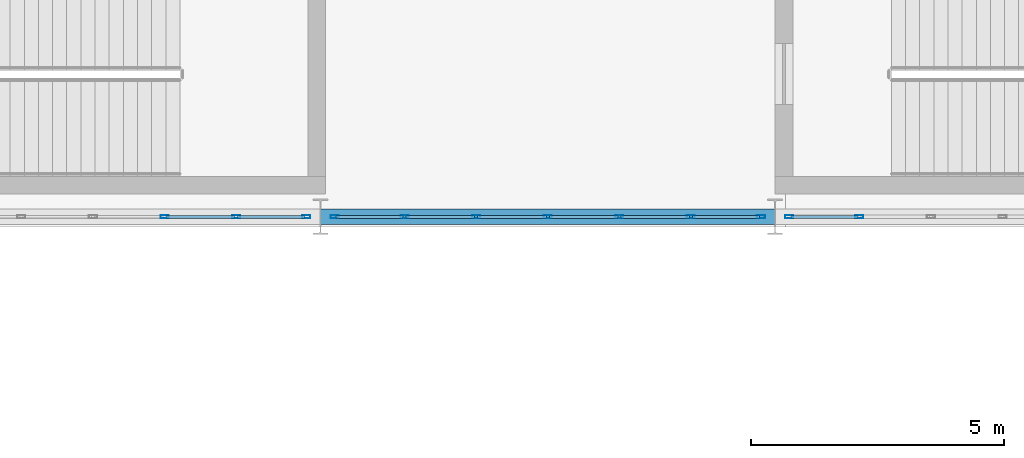
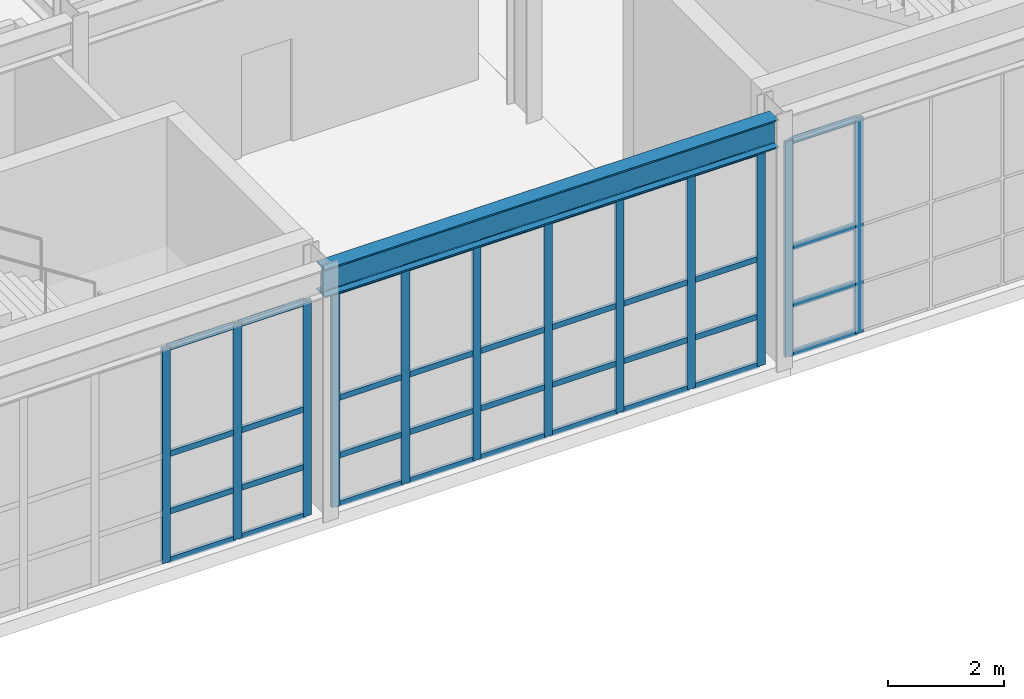
# One storey, part 61 of 210: 48 members, 1 beam, 3 elements without a shape of their own.
"""IFC4 building model written with IfcOpenShell, lengths in metres."""

from ifc_helpers import new_model, si_unit, direction, frame, origin, origin_2d, place, context, subcontext, project, spatial, hollow_rectangle, i_section, extrude, material, material_profile, profile_set, type_object, element, aggregate, save


model = new_model("IFC4")

# Units and contexts
model_context = context("Model", 3, precision=1e-05, world=origin(), true_north=direction((0.0, 1.0)))
body_context = subcontext(model_context, "Body", "Model", "MODEL_VIEW")
ifc_project = project(units=[si_unit("LENGTHUNIT", "METRE"), si_unit("AREAUNIT", "SQUARE_METRE"), si_unit("VOLUMEUNIT", "CUBIC_METRE"), si_unit("PLANEANGLEUNIT", "RADIAN"), si_unit("MASSUNIT", "GRAM", prefix="KILO")], contexts=[model_context])

# Site, building, storey
site_placement = place(None, origin())
site = spatial("IfcSite", under=ifc_project, at=site_placement, CompositionType="ELEMENT")
building_placement = place(site_placement, origin())
building = spatial("IfcBuilding", under=site, at=building_placement, Name="Kaldris Quays Convention Centre", CompositionType="ELEMENT")
storey_placement = place(building_placement, frame((0.0, 0.0, 6.0)))
storey = spatial("IfcBuildingStorey", under=building, at=storey_placement, Name="L01", CompositionType="ELEMENT", Elevation=6.0)

# Curtain wall, members
ifc_material_1 = material(Name="Anodized aluminium AW-6060 and triple glazing", Category="aluminium")
curtain_wall_type = type_object("IfcCurtainWallType", Name="UNITISED CURTAIN WALL CW04", PredefinedType="NOTDEFINED", material=ifc_material_1)
curtain_wall_1_placement = place(storey_placement, origin())
curtain_wall_1 = element("IfcCurtainWall", 1, at=curtain_wall_1_placement, inside=storey, type_object=curtain_wall_type, Name="L01 Unitised Curtain Wall CW04 110", PredefinedType="NOTDEFINED")
ifc_material_2 = material(Name="Anodized aluminium AW-6060", Category="aluminium")
ifc_material_profile_1 = material_profile(ifc_material_2, hollow_rectangle(XDim=0.06005859375, YDim=0.159912109375, WallThickness=0.00390625, at=origin_2d()), Name="RHS 160x60x4")
ifc_profile_set_1 = profile_set([ifc_material_profile_1], Name="Anodized aluminium AW-6060")
member_type_1 = type_object("IfcMemberType", Name="CURTAIN MULLION CWM1", PredefinedType="MULLION", material=ifc_profile_set_1)
member_1_placement = place(storey_placement, frame((115.916748046875, 38.0, 0.0), z_axis=(0.0, 0.0, 1.0), x_axis=(0.0, 1.0, 0.0)))
member_1 = element("IfcMember", 2, at=member_1_placement, type_object=member_type_1, Name="CW04 mullion 5", PredefinedType="MULLION", context=body_context, shape_type="SweptSolid", body=[
    extrude(hollow_rectangle(XDim=0.06005859375, YDim=0.159912109375, WallThickness=0.00390625, at=origin_2d()), origin(), (0.0, 0.0, 1.0), 4.51806640625),
])
member_2_placement = place(storey_placement, frame((117.333251953125, 38.0, 0.0), z_axis=(0.0, 0.0, 1.0), x_axis=(0.0, 1.0, 0.0)))
member_2 = element("IfcMember", 3, at=member_2_placement, type_object=member_type_1, Name="CW04 mullion 6", PredefinedType="MULLION", context=body_context, shape_type="SweptSolid", body=[
    extrude(hollow_rectangle(XDim=0.06005859375, YDim=0.159912109375, WallThickness=0.00390625, at=origin_2d()), origin(), (0.0, 0.0, 1.0), 4.51806640625),
])
member_3_placement = place(storey_placement, frame((118.719970703125, 38.0, 0.0), z_axis=(0.0, 0.0, 1.0), x_axis=(0.0, 1.0, 0.0)))
member_3 = element("IfcMember", 4, at=member_3_placement, type_object=member_type_1, Name="CW04 mullion 7", PredefinedType="MULLION", context=body_context, shape_type="SweptSolid", body=[
    extrude(hollow_rectangle(XDim=0.06005859375, YDim=0.159912109375, WallThickness=0.00390625, at=origin_2d()), origin(), (0.0, 0.0, 1.0), 4.51806640625),
])

curtain_wall_2_placement = place(storey_placement, origin())
curtain_wall_2 = element("IfcCurtainWall", 5, at=curtain_wall_2_placement, inside=storey, type_object=curtain_wall_type, Name="L01 Unitised Curtain Wall CW04 111", PredefinedType="NOTDEFINED")
member_4_placement = place(storey_placement, frame((119.280029296875, 38.0, 0.0), z_axis=(0.0, 0.0, 1.0), x_axis=(0.0, 1.0, 0.0)))
member_4 = element("IfcMember", 6, at=member_4_placement, type_object=member_type_1, Name="CW04 mullion 1", PredefinedType="MULLION", context=body_context, shape_type="SweptSolid", body=[
    extrude(hollow_rectangle(XDim=0.06005859375, YDim=0.159912109375, WallThickness=0.00390625, at=origin_2d()), origin(), (0.0, 0.0, 1.0), 4.51806640625),
])
member_5_placement = place(storey_placement, frame((120.666748046875, 38.0, 0.0), z_axis=(0.0, 0.0, 1.0), x_axis=(0.0, 1.0, 0.0)))
member_5 = element("IfcMember", 7, at=member_5_placement, type_object=member_type_1, Name="CW04 mullion 2", PredefinedType="MULLION", context=body_context, shape_type="SweptSolid", body=[
    extrude(hollow_rectangle(XDim=0.06005859375, YDim=0.159912109375, WallThickness=0.00390625, at=origin_2d()), origin(), (0.0, 0.0, 1.0), 4.51806640625),
])
member_6_placement = place(storey_placement, frame((122.083251953125, 38.0, 0.0), z_axis=(0.0, 0.0, 1.0), x_axis=(0.0, 1.0, 0.0)))
member_6 = element("IfcMember", 8, at=member_6_placement, type_object=member_type_1, Name="CW04 mullion 3", PredefinedType="MULLION", context=body_context, shape_type="SweptSolid", body=[
    extrude(hollow_rectangle(XDim=0.06005859375, YDim=0.159912109375, WallThickness=0.00390625, at=origin_2d()), origin(), (0.0, 0.0, 1.0), 4.51806640625),
])
member_7_placement = place(storey_placement, frame((123.5, 38.0, 0.0), z_axis=(0.0, 0.0, 1.0), x_axis=(0.0, 1.0, 0.0)))
member_7 = element("IfcMember", 9, at=member_7_placement, type_object=member_type_1, Name="CW04 mullion 4", PredefinedType="MULLION", context=body_context, shape_type="SweptSolid", body=[
    extrude(hollow_rectangle(XDim=0.06005859375, YDim=0.159912109375, WallThickness=0.00390625, at=origin_2d()), origin(), (0.0, 0.0, 1.0), 4.51806640625),
])
member_8_placement = place(storey_placement, frame((124.916748046875, 38.0, 0.0), z_axis=(0.0, 0.0, 1.0), x_axis=(0.0, 1.0, 0.0)))
member_8 = element("IfcMember", 10, at=member_8_placement, type_object=member_type_1, Name="CW04 mullion 5", PredefinedType="MULLION", context=body_context, shape_type="SweptSolid", body=[
    extrude(hollow_rectangle(XDim=0.06005859375, YDim=0.159912109375, WallThickness=0.00390625, at=origin_2d()), origin(), (0.0, 0.0, 1.0), 4.51806640625),
])
member_9_placement = place(storey_placement, frame((126.333251953125, 38.0, 0.0), z_axis=(0.0, 0.0, 1.0), x_axis=(0.0, 1.0, 0.0)))
member_9 = element("IfcMember", 11, at=member_9_placement, type_object=member_type_1, Name="CW04 mullion 6", PredefinedType="MULLION", context=body_context, shape_type="SweptSolid", body=[
    extrude(hollow_rectangle(XDim=0.06005859375, YDim=0.159912109375, WallThickness=0.00390625, at=origin_2d()), origin(), (0.0, 0.0, 1.0), 4.51806640625),
])
member_10_placement = place(storey_placement, frame((127.719970703125, 38.0, 0.0), z_axis=(0.0, 0.0, 1.0), x_axis=(0.0, 1.0, 0.0)))
member_10 = element("IfcMember", 12, at=member_10_placement, type_object=member_type_1, Name="CW04 mullion 7", PredefinedType="MULLION", context=body_context, shape_type="SweptSolid", body=[
    extrude(hollow_rectangle(XDim=0.06005859375, YDim=0.159912109375, WallThickness=0.00390625, at=origin_2d()), origin(), (0.0, 0.0, 1.0), 4.51806640625),
])

curtain_wall_3_placement = place(storey_placement, origin())
curtain_wall_3 = element("IfcCurtainWall", 13, at=curtain_wall_3_placement, inside=storey, type_object=curtain_wall_type, Name="L01 Unitised Curtain Wall CW04 112", PredefinedType="NOTDEFINED")
member_11_placement = place(storey_placement, frame((128.280029296875, 38.0, 0.0), z_axis=(0.0, 0.0, 1.0), x_axis=(0.0, 1.0, 0.0)))
member_11 = element("IfcMember", 14, at=member_11_placement, type_object=member_type_1, Name="CW04 mullion 1", PredefinedType="MULLION", context=body_context, shape_type="SweptSolid", body=[
    extrude(hollow_rectangle(XDim=0.06005859375, YDim=0.159912109375, WallThickness=0.00390625, at=origin_2d()), origin(), (0.0, 0.0, 1.0), 4.51806640625),
])
member_12_placement = place(storey_placement, frame((129.666748046875, 38.0, 0.0), z_axis=(0.0, 0.0, 1.0), x_axis=(0.0, 1.0, 0.0)))
member_12 = element("IfcMember", 15, at=member_12_placement, type_object=member_type_1, Name="CW04 mullion 2", PredefinedType="MULLION", context=body_context, shape_type="SweptSolid", body=[
    extrude(hollow_rectangle(XDim=0.06005859375, YDim=0.159912109375, WallThickness=0.00390625, at=origin_2d()), origin(), (0.0, 0.0, 1.0), 4.51806640625),
])

# Member
ifc_material_profile_2 = material_profile(ifc_material_2, hollow_rectangle(XDim=0.06005859375, YDim=0.1201171875, WallThickness=0.00390625, at=origin_2d()), Name="RHS 120x60x4")
ifc_profile_set_2 = profile_set([ifc_material_profile_2], Name="Anodized aluminium AW-6060")
member_type_2 = type_object("IfcMemberType", Name="CURTAIN TRANSOM CWT1", PredefinedType="USERDEFINED", material=ifc_profile_set_2)
member_13_placement = place(storey_placement, frame((115.94677734375, 38.0, 0.030029296875), z_axis=(1.0, 0.0, 0.0), x_axis=(0.0, 1.0, 0.0)))
member_13 = element("IfcMember", 16, at=member_13_placement, type_object=member_type_2, Name="CW04 transom 5.1", ObjectType="TRANSOM", PredefinedType="USERDEFINED", context=body_context, shape_type="SweptSolid", body=[
    extrude(hollow_rectangle(XDim=0.06005859375, YDim=0.1201171875, WallThickness=0.00390625, at=origin_2d()), origin(), (0.0, 0.0, 1.0), 1.3564453125),
])

member_14_placement = place(storey_placement, frame((115.94677734375, 38.0, 1.050048828125), z_axis=(1.0, 0.0, 0.0), x_axis=(0.0, 1.0, 0.0)))
member_14 = element("IfcMember", 17, at=member_14_placement, type_object=member_type_2, Name="CW04 transom 5.2", ObjectType="TRANSOM", PredefinedType="USERDEFINED", context=body_context, shape_type="SweptSolid", body=[
    extrude(hollow_rectangle(XDim=0.06005859375, YDim=0.1201171875, WallThickness=0.00390625, at=origin_2d()), origin(), (0.0, 0.0, 1.0), 1.3564453125),
])

member_15_placement = place(storey_placement, frame((115.94677734375, 38.0, 2.259033203125), z_axis=(1.0, 0.0, 0.0), x_axis=(0.0, 1.0, 0.0)))
member_15 = element("IfcMember", 18, at=member_15_placement, type_object=member_type_2, Name="CW04 transom 5.3", ObjectType="TRANSOM", PredefinedType="USERDEFINED", context=body_context, shape_type="SweptSolid", body=[
    extrude(hollow_rectangle(XDim=0.06005859375, YDim=0.1201171875, WallThickness=0.00390625, at=origin_2d()), origin(), (0.0, 0.0, 1.0), 1.3564453125),
])

member_16_placement = place(storey_placement, frame((115.94677734375, 38.0, 4.488037109375), z_axis=(1.0, 0.0, 0.0), x_axis=(0.0, 1.0, 0.0)))
member_16 = element("IfcMember", 19, at=member_16_placement, type_object=member_type_2, Name="CW04 transom 5.4", ObjectType="TRANSOM", PredefinedType="USERDEFINED", context=body_context, shape_type="SweptSolid", body=[
    extrude(hollow_rectangle(XDim=0.06005859375, YDim=0.1201171875, WallThickness=0.00390625, at=origin_2d()), origin(), (0.0, 0.0, 1.0), 1.3564453125),
])

member_17_placement = place(storey_placement, frame((117.36328125, 38.0, 0.030029296875), z_axis=(1.0, 0.0, 0.0), x_axis=(0.0, 1.0, 0.0)))
member_17 = element("IfcMember", 20, at=member_17_placement, type_object=member_type_2, Name="CW04 transom 6.1", ObjectType="TRANSOM", PredefinedType="USERDEFINED", context=body_context, shape_type="SweptSolid", body=[
    extrude(hollow_rectangle(XDim=0.06005859375, YDim=0.1201171875, WallThickness=0.00390625, at=origin_2d()), origin(), (0.0, 0.0, 1.0), 1.32666015625),
])

member_18_placement = place(storey_placement, frame((117.36328125, 38.0, 1.050048828125), z_axis=(1.0, 0.0, 0.0), x_axis=(0.0, 1.0, 0.0)))
member_18 = element("IfcMember", 21, at=member_18_placement, type_object=member_type_2, Name="CW04 transom 6.2", ObjectType="TRANSOM", PredefinedType="USERDEFINED", context=body_context, shape_type="SweptSolid", body=[
    extrude(hollow_rectangle(XDim=0.06005859375, YDim=0.1201171875, WallThickness=0.00390625, at=origin_2d()), origin(), (0.0, 0.0, 1.0), 1.32666015625),
])

member_19_placement = place(storey_placement, frame((117.36328125, 38.0, 2.259033203125), z_axis=(1.0, 0.0, 0.0), x_axis=(0.0, 1.0, 0.0)))
member_19 = element("IfcMember", 22, at=member_19_placement, type_object=member_type_2, Name="CW04 transom 6.3", ObjectType="TRANSOM", PredefinedType="USERDEFINED", context=body_context, shape_type="SweptSolid", body=[
    extrude(hollow_rectangle(XDim=0.06005859375, YDim=0.1201171875, WallThickness=0.00390625, at=origin_2d()), origin(), (0.0, 0.0, 1.0), 1.32666015625),
])

member_20_placement = place(storey_placement, frame((117.36328125, 38.0, 4.488037109375), z_axis=(1.0, 0.0, 0.0), x_axis=(0.0, 1.0, 0.0)))
member_20 = element("IfcMember", 23, at=member_20_placement, type_object=member_type_2, Name="CW04 transom 6.4", ObjectType="TRANSOM", PredefinedType="USERDEFINED", context=body_context, shape_type="SweptSolid", body=[
    extrude(hollow_rectangle(XDim=0.06005859375, YDim=0.1201171875, WallThickness=0.00390625, at=origin_2d()), origin(), (0.0, 0.0, 1.0), 1.32666015625),
])

aggregate(curtain_wall_1, [member_1, member_2, member_3, member_13, member_14, member_15, member_16, member_17, member_18, member_19, member_20])

member_21_placement = place(storey_placement, frame((119.31005859375, 38.0, 0.030029296875), z_axis=(1.0, 0.0, 0.0), x_axis=(0.0, 1.0, 0.0)))
member_21 = element("IfcMember", 24, at=member_21_placement, type_object=member_type_2, Name="CW04 transom 1.1", ObjectType="TRANSOM", PredefinedType="USERDEFINED", context=body_context, shape_type="SweptSolid", body=[
    extrude(hollow_rectangle(XDim=0.06005859375, YDim=0.1201171875, WallThickness=0.00390625, at=origin_2d()), origin(), (0.0, 0.0, 1.0), 1.32666015625),
])

member_22_placement = place(storey_placement, frame((119.31005859375, 38.0, 1.050048828125), z_axis=(1.0, 0.0, 0.0), x_axis=(0.0, 1.0, 0.0)))
member_22 = element("IfcMember", 25, at=member_22_placement, type_object=member_type_2, Name="CW04 transom 1.2", ObjectType="TRANSOM", PredefinedType="USERDEFINED", context=body_context, shape_type="SweptSolid", body=[
    extrude(hollow_rectangle(XDim=0.06005859375, YDim=0.1201171875, WallThickness=0.00390625, at=origin_2d()), origin(), (0.0, 0.0, 1.0), 1.32666015625),
])

member_23_placement = place(storey_placement, frame((119.31005859375, 38.0, 2.259033203125), z_axis=(1.0, 0.0, 0.0), x_axis=(0.0, 1.0, 0.0)))
member_23 = element("IfcMember", 26, at=member_23_placement, type_object=member_type_2, Name="CW04 transom 1.3", ObjectType="TRANSOM", PredefinedType="USERDEFINED", context=body_context, shape_type="SweptSolid", body=[
    extrude(hollow_rectangle(XDim=0.06005859375, YDim=0.1201171875, WallThickness=0.00390625, at=origin_2d()), origin(), (0.0, 0.0, 1.0), 1.32666015625),
])

member_24_placement = place(storey_placement, frame((119.31005859375, 38.0, 4.488037109375), z_axis=(1.0, 0.0, 0.0), x_axis=(0.0, 1.0, 0.0)))
member_24 = element("IfcMember", 27, at=member_24_placement, type_object=member_type_2, Name="CW04 transom 1.4", ObjectType="TRANSOM", PredefinedType="USERDEFINED", context=body_context, shape_type="SweptSolid", body=[
    extrude(hollow_rectangle(XDim=0.06005859375, YDim=0.1201171875, WallThickness=0.00390625, at=origin_2d()), origin(), (0.0, 0.0, 1.0), 1.32666015625),
])

member_25_placement = place(storey_placement, frame((120.69677734375, 38.0, 0.030029296875), z_axis=(1.0, 0.0, 0.0), x_axis=(0.0, 1.0, 0.0)))
member_25 = element("IfcMember", 28, at=member_25_placement, type_object=member_type_2, Name="CW04 transom 2.1", ObjectType="TRANSOM", PredefinedType="USERDEFINED", context=body_context, shape_type="SweptSolid", body=[
    extrude(hollow_rectangle(XDim=0.06005859375, YDim=0.1201171875, WallThickness=0.00390625, at=origin_2d()), origin(), (0.0, 0.0, 1.0), 1.3564453125),
])

member_26_placement = place(storey_placement, frame((120.69677734375, 38.0, 1.050048828125), z_axis=(1.0, 0.0, 0.0), x_axis=(0.0, 1.0, 0.0)))
member_26 = element("IfcMember", 29, at=member_26_placement, type_object=member_type_2, Name="CW04 transom 2.2", ObjectType="TRANSOM", PredefinedType="USERDEFINED", context=body_context, shape_type="SweptSolid", body=[
    extrude(hollow_rectangle(XDim=0.06005859375, YDim=0.1201171875, WallThickness=0.00390625, at=origin_2d()), origin(), (0.0, 0.0, 1.0), 1.3564453125),
])

member_27_placement = place(storey_placement, frame((120.69677734375, 38.0, 2.259033203125), z_axis=(1.0, 0.0, 0.0), x_axis=(0.0, 1.0, 0.0)))
member_27 = element("IfcMember", 30, at=member_27_placement, type_object=member_type_2, Name="CW04 transom 2.3", ObjectType="TRANSOM", PredefinedType="USERDEFINED", context=body_context, shape_type="SweptSolid", body=[
    extrude(hollow_rectangle(XDim=0.06005859375, YDim=0.1201171875, WallThickness=0.00390625, at=origin_2d()), origin(), (0.0, 0.0, 1.0), 1.3564453125),
])

member_28_placement = place(storey_placement, frame((120.69677734375, 38.0, 4.488037109375), z_axis=(1.0, 0.0, 0.0), x_axis=(0.0, 1.0, 0.0)))
member_28 = element("IfcMember", 31, at=member_28_placement, type_object=member_type_2, Name="CW04 transom 2.4", ObjectType="TRANSOM", PredefinedType="USERDEFINED", context=body_context, shape_type="SweptSolid", body=[
    extrude(hollow_rectangle(XDim=0.06005859375, YDim=0.1201171875, WallThickness=0.00390625, at=origin_2d()), origin(), (0.0, 0.0, 1.0), 1.3564453125),
])

member_29_placement = place(storey_placement, frame((122.11328125, 38.0, 0.030029296875), z_axis=(1.0, 0.0, 0.0), x_axis=(0.0, 1.0, 0.0)))
member_29 = element("IfcMember", 32, at=member_29_placement, type_object=member_type_2, Name="CW04 transom 3.1", ObjectType="TRANSOM", PredefinedType="USERDEFINED", context=body_context, shape_type="SweptSolid", body=[
    extrude(hollow_rectangle(XDim=0.06005859375, YDim=0.1201171875, WallThickness=0.00390625, at=origin_2d()), origin(), (0.0, 0.0, 1.0), 1.356689453125),
])

member_30_placement = place(storey_placement, frame((122.11328125, 38.0, 1.050048828125), z_axis=(1.0, 0.0, 0.0), x_axis=(0.0, 1.0, 0.0)))
member_30 = element("IfcMember", 33, at=member_30_placement, type_object=member_type_2, Name="CW04 transom 3.2", ObjectType="TRANSOM", PredefinedType="USERDEFINED", context=body_context, shape_type="SweptSolid", body=[
    extrude(hollow_rectangle(XDim=0.06005859375, YDim=0.1201171875, WallThickness=0.00390625, at=origin_2d()), origin(), (0.0, 0.0, 1.0), 1.356689453125),
])

member_31_placement = place(storey_placement, frame((122.11328125, 38.0, 2.259033203125), z_axis=(1.0, 0.0, 0.0), x_axis=(0.0, 1.0, 0.0)))
member_31 = element("IfcMember", 34, at=member_31_placement, type_object=member_type_2, Name="CW04 transom 3.3", ObjectType="TRANSOM", PredefinedType="USERDEFINED", context=body_context, shape_type="SweptSolid", body=[
    extrude(hollow_rectangle(XDim=0.06005859375, YDim=0.1201171875, WallThickness=0.00390625, at=origin_2d()), origin(), (0.0, 0.0, 1.0), 1.356689453125),
])

member_32_placement = place(storey_placement, frame((122.11328125, 38.0, 4.488037109375), z_axis=(1.0, 0.0, 0.0), x_axis=(0.0, 1.0, 0.0)))
member_32 = element("IfcMember", 35, at=member_32_placement, type_object=member_type_2, Name="CW04 transom 3.4", ObjectType="TRANSOM", PredefinedType="USERDEFINED", context=body_context, shape_type="SweptSolid", body=[
    extrude(hollow_rectangle(XDim=0.06005859375, YDim=0.1201171875, WallThickness=0.00390625, at=origin_2d()), origin(), (0.0, 0.0, 1.0), 1.356689453125),
])

member_33_placement = place(storey_placement, frame((123.530029296875, 38.0, 0.030029296875), z_axis=(1.0, 0.0, 0.0), x_axis=(0.0, 1.0, 0.0)))
member_33 = element("IfcMember", 36, at=member_33_placement, type_object=member_type_2, Name="CW04 transom 4.1", ObjectType="TRANSOM", PredefinedType="USERDEFINED", context=body_context, shape_type="SweptSolid", body=[
    extrude(hollow_rectangle(XDim=0.06005859375, YDim=0.1201171875, WallThickness=0.00390625, at=origin_2d()), origin(), (0.0, 0.0, 1.0), 1.356689453125),
])

member_34_placement = place(storey_placement, frame((123.530029296875, 38.0, 1.050048828125), z_axis=(1.0, 0.0, 0.0), x_axis=(0.0, 1.0, 0.0)))
member_34 = element("IfcMember", 37, at=member_34_placement, type_object=member_type_2, Name="CW04 transom 4.2", ObjectType="TRANSOM", PredefinedType="USERDEFINED", context=body_context, shape_type="SweptSolid", body=[
    extrude(hollow_rectangle(XDim=0.06005859375, YDim=0.1201171875, WallThickness=0.00390625, at=origin_2d()), origin(), (0.0, 0.0, 1.0), 1.356689453125),
])

member_35_placement = place(storey_placement, frame((123.530029296875, 38.0, 2.259033203125), z_axis=(1.0, 0.0, 0.0), x_axis=(0.0, 1.0, 0.0)))
member_35 = element("IfcMember", 38, at=member_35_placement, type_object=member_type_2, Name="CW04 transom 4.3", ObjectType="TRANSOM", PredefinedType="USERDEFINED", context=body_context, shape_type="SweptSolid", body=[
    extrude(hollow_rectangle(XDim=0.06005859375, YDim=0.1201171875, WallThickness=0.00390625, at=origin_2d()), origin(), (0.0, 0.0, 1.0), 1.356689453125),
])

member_36_placement = place(storey_placement, frame((123.530029296875, 38.0, 4.488037109375), z_axis=(1.0, 0.0, 0.0), x_axis=(0.0, 1.0, 0.0)))
member_36 = element("IfcMember", 39, at=member_36_placement, type_object=member_type_2, Name="CW04 transom 4.4", ObjectType="TRANSOM", PredefinedType="USERDEFINED", context=body_context, shape_type="SweptSolid", body=[
    extrude(hollow_rectangle(XDim=0.06005859375, YDim=0.1201171875, WallThickness=0.00390625, at=origin_2d()), origin(), (0.0, 0.0, 1.0), 1.356689453125),
])

member_37_placement = place(storey_placement, frame((124.94677734375, 38.0, 0.030029296875), z_axis=(1.0, 0.0, 0.0), x_axis=(0.0, 1.0, 0.0)))
member_37 = element("IfcMember", 40, at=member_37_placement, type_object=member_type_2, Name="CW04 transom 5.1", ObjectType="TRANSOM", PredefinedType="USERDEFINED", context=body_context, shape_type="SweptSolid", body=[
    extrude(hollow_rectangle(XDim=0.06005859375, YDim=0.1201171875, WallThickness=0.00390625, at=origin_2d()), origin(), (0.0, 0.0, 1.0), 1.3564453125),
])

member_38_placement = place(storey_placement, frame((124.94677734375, 38.0, 1.050048828125), z_axis=(1.0, 0.0, 0.0), x_axis=(0.0, 1.0, 0.0)))
member_38 = element("IfcMember", 41, at=member_38_placement, type_object=member_type_2, Name="CW04 transom 5.2", ObjectType="TRANSOM", PredefinedType="USERDEFINED", context=body_context, shape_type="SweptSolid", body=[
    extrude(hollow_rectangle(XDim=0.06005859375, YDim=0.1201171875, WallThickness=0.00390625, at=origin_2d()), origin(), (0.0, 0.0, 1.0), 1.3564453125),
])

member_39_placement = place(storey_placement, frame((124.94677734375, 38.0, 2.259033203125), z_axis=(1.0, 0.0, 0.0), x_axis=(0.0, 1.0, 0.0)))
member_39 = element("IfcMember", 42, at=member_39_placement, type_object=member_type_2, Name="CW04 transom 5.3", ObjectType="TRANSOM", PredefinedType="USERDEFINED", context=body_context, shape_type="SweptSolid", body=[
    extrude(hollow_rectangle(XDim=0.06005859375, YDim=0.1201171875, WallThickness=0.00390625, at=origin_2d()), origin(), (0.0, 0.0, 1.0), 1.3564453125),
])

member_40_placement = place(storey_placement, frame((124.94677734375, 38.0, 4.488037109375), z_axis=(1.0, 0.0, 0.0), x_axis=(0.0, 1.0, 0.0)))
member_40 = element("IfcMember", 43, at=member_40_placement, type_object=member_type_2, Name="CW04 transom 5.4", ObjectType="TRANSOM", PredefinedType="USERDEFINED", context=body_context, shape_type="SweptSolid", body=[
    extrude(hollow_rectangle(XDim=0.06005859375, YDim=0.1201171875, WallThickness=0.00390625, at=origin_2d()), origin(), (0.0, 0.0, 1.0), 1.3564453125),
])

member_41_placement = place(storey_placement, frame((126.36328125, 38.0, 0.030029296875), z_axis=(1.0, 0.0, 0.0), x_axis=(0.0, 1.0, 0.0)))
member_41 = element("IfcMember", 44, at=member_41_placement, type_object=member_type_2, Name="CW04 transom 6.1", ObjectType="TRANSOM", PredefinedType="USERDEFINED", context=body_context, shape_type="SweptSolid", body=[
    extrude(hollow_rectangle(XDim=0.06005859375, YDim=0.1201171875, WallThickness=0.00390625, at=origin_2d()), origin(), (0.0, 0.0, 1.0), 1.32666015625),
])

member_42_placement = place(storey_placement, frame((126.36328125, 38.0, 1.050048828125), z_axis=(1.0, 0.0, 0.0), x_axis=(0.0, 1.0, 0.0)))
member_42 = element("IfcMember", 45, at=member_42_placement, type_object=member_type_2, Name="CW04 transom 6.2", ObjectType="TRANSOM", PredefinedType="USERDEFINED", context=body_context, shape_type="SweptSolid", body=[
    extrude(hollow_rectangle(XDim=0.06005859375, YDim=0.1201171875, WallThickness=0.00390625, at=origin_2d()), origin(), (0.0, 0.0, 1.0), 1.32666015625),
])

member_43_placement = place(storey_placement, frame((126.36328125, 38.0, 2.259033203125), z_axis=(1.0, 0.0, 0.0), x_axis=(0.0, 1.0, 0.0)))
member_43 = element("IfcMember", 46, at=member_43_placement, type_object=member_type_2, Name="CW04 transom 6.3", ObjectType="TRANSOM", PredefinedType="USERDEFINED", context=body_context, shape_type="SweptSolid", body=[
    extrude(hollow_rectangle(XDim=0.06005859375, YDim=0.1201171875, WallThickness=0.00390625, at=origin_2d()), origin(), (0.0, 0.0, 1.0), 1.32666015625),
])

member_44_placement = place(storey_placement, frame((126.36328125, 38.0, 4.488037109375), z_axis=(1.0, 0.0, 0.0), x_axis=(0.0, 1.0, 0.0)))
member_44 = element("IfcMember", 47, at=member_44_placement, type_object=member_type_2, Name="CW04 transom 6.4", ObjectType="TRANSOM", PredefinedType="USERDEFINED", context=body_context, shape_type="SweptSolid", body=[
    extrude(hollow_rectangle(XDim=0.06005859375, YDim=0.1201171875, WallThickness=0.00390625, at=origin_2d()), origin(), (0.0, 0.0, 1.0), 1.32666015625),
])

aggregate(curtain_wall_2, [member_4, member_5, member_6, member_7, member_8, member_9, member_10, member_21, member_22, member_23, member_24, member_25, member_26, member_27, member_28, member_29, member_30, member_31, member_32, member_33, member_34, member_35, member_36, member_37, member_38, member_39, member_40, member_41, member_42, member_43, member_44])

member_45_placement = place(storey_placement, frame((128.31005859375, 38.0, 0.030029296875), z_axis=(1.0, 0.0, 0.0), x_axis=(0.0, 1.0, 0.0)))
member_45 = element("IfcMember", 48, at=member_45_placement, type_object=member_type_2, Name="CW04 transom 1.1", ObjectType="TRANSOM", PredefinedType="USERDEFINED", context=body_context, shape_type="SweptSolid", body=[
    extrude(hollow_rectangle(XDim=0.06005859375, YDim=0.1201171875, WallThickness=0.00390625, at=origin_2d()), origin(), (0.0, 0.0, 1.0), 1.32666015625),
])

member_46_placement = place(storey_placement, frame((128.31005859375, 38.0, 1.050048828125), z_axis=(1.0, 0.0, 0.0), x_axis=(0.0, 1.0, 0.0)))
member_46 = element("IfcMember", 49, at=member_46_placement, type_object=member_type_2, Name="CW04 transom 1.2", ObjectType="TRANSOM", PredefinedType="USERDEFINED", context=body_context, shape_type="SweptSolid", body=[
    extrude(hollow_rectangle(XDim=0.06005859375, YDim=0.1201171875, WallThickness=0.00390625, at=origin_2d()), origin(), (0.0, 0.0, 1.0), 1.32666015625),
])

member_47_placement = place(storey_placement, frame((128.31005859375, 38.0, 2.259033203125), z_axis=(1.0, 0.0, 0.0), x_axis=(0.0, 1.0, 0.0)))
member_47 = element("IfcMember", 50, at=member_47_placement, type_object=member_type_2, Name="CW04 transom 1.3", ObjectType="TRANSOM", PredefinedType="USERDEFINED", context=body_context, shape_type="SweptSolid", body=[
    extrude(hollow_rectangle(XDim=0.06005859375, YDim=0.1201171875, WallThickness=0.00390625, at=origin_2d()), origin(), (0.0, 0.0, 1.0), 1.32666015625),
])

member_48_placement = place(storey_placement, frame((128.31005859375, 38.0, 4.488037109375), z_axis=(1.0, 0.0, 0.0), x_axis=(0.0, 1.0, 0.0)))
member_48 = element("IfcMember", 51, at=member_48_placement, type_object=member_type_2, Name="CW04 transom 1.4", ObjectType="TRANSOM", PredefinedType="USERDEFINED", context=body_context, shape_type="SweptSolid", body=[
    extrude(hollow_rectangle(XDim=0.06005859375, YDim=0.1201171875, WallThickness=0.00390625, at=origin_2d()), origin(), (0.0, 0.0, 1.0), 1.32666015625),
])

aggregate(curtain_wall_3, [member_11, member_12, member_45, member_46, member_47, member_48])

# Beam
ifc_material_3 = material(Name="Steel S355J2", Category="steel")
ifc_material_profile_3 = material_profile(ifc_material_3, i_section(OverallWidth=0.300048828125, OverallDepth=0.60009765625, WebThickness=0.015380859375, FlangeThickness=0.030029296875, FilletRadius=0.027099609375, at=origin_2d()), Name="HEB 600")
ifc_profile_set_3 = profile_set([ifc_material_profile_3], Name="Steel S355J2")
beam_type = type_object("IfcBeamType", Name="STRUCTURAL BEAM BM05", PredefinedType="BEAM", material=ifc_profile_set_3)
beam_placement = place(storey_placement, frame((119.00244140625, 38.0, 4.843017578125), z_axis=(1.0, 0.0, 0.0), x_axis=(0.0, 1.0, 0.0)))
element("IfcBeam", 52, at=beam_placement, inside=storey, type_object=beam_type, Name="L01 Girder BM05 5", PredefinedType="BEAM", context=body_context, shape_type="SweptSolid", body=[
    extrude(i_section(OverallWidth=0.300048828125, OverallDepth=0.60009765625, WebThickness=0.015380859375, FlangeThickness=0.030029296875, FilletRadius=0.027099609375, at=origin_2d()), origin(), (0.0, 0.0, 1.0), 8.9951171875),
])

save(model, "model.ifc")
